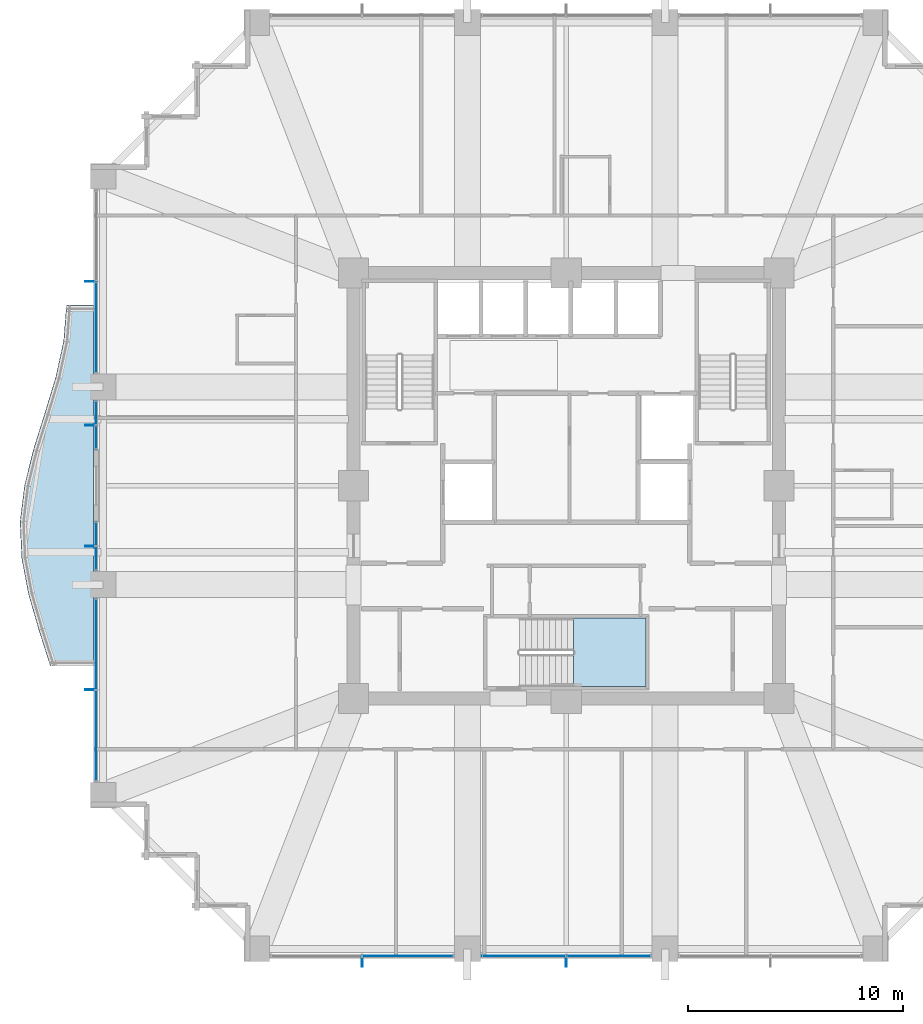
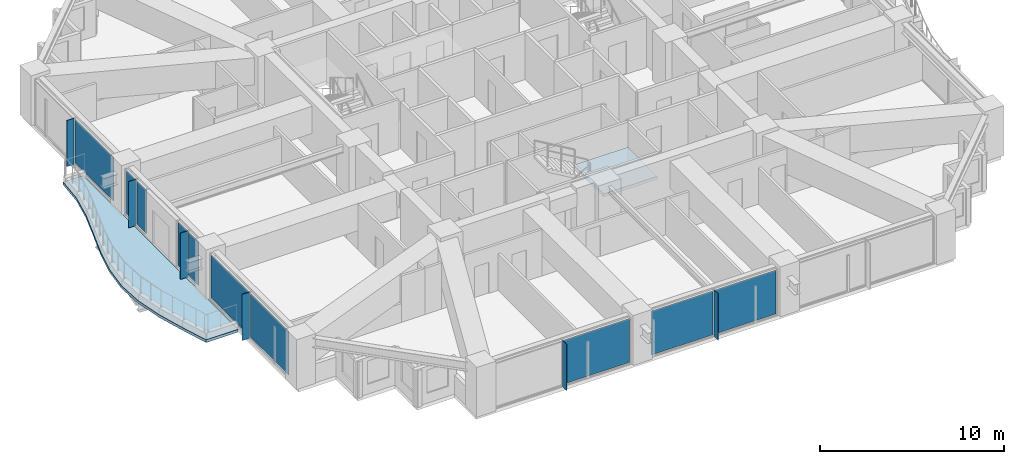
# One storey, part 29 of 39: 16 plates, 2 slabs, 7 elements without a shape of their own.
"""IFC4 building model written with IfcOpenShell, lengths in metres."""

from ifc_helpers import new_model, si_unit, direction, frame, origin, origin_2d, place, context, subcontext, project, spatial, polyline, rectangle, outline, extrude, material, layer, layer_set, type_object, element, aggregate, save


model = new_model("IFC4")

# Units and contexts
model_context = context("Model", 3, precision=1e-05, world=origin(), true_north=direction((0.0, 1.0)))
body_context = subcontext(model_context, "Body", "Model", "MODEL_VIEW")
ifc_project = project(units=[si_unit("LENGTHUNIT", "METRE"), si_unit("AREAUNIT", "SQUARE_METRE"), si_unit("VOLUMEUNIT", "CUBIC_METRE"), si_unit("PLANEANGLEUNIT", "RADIAN"), si_unit("MASSUNIT", "GRAM", prefix="KILO")], contexts=[model_context])

# Site, building, storey
site_placement = place(None, origin())
site = spatial("IfcSite", under=ifc_project, at=site_placement, CompositionType="ELEMENT")
building_placement = place(site_placement, origin())
building = spatial("IfcBuilding", under=site, at=building_placement, Name="Kolvaren Belvedere", CompositionType="ELEMENT")
storey_placement = place(building_placement, frame((0.0, 0.0, 40.300048828125)))
storey = spatial("IfcBuildingStorey", under=building, at=storey_placement, Name="L11", CompositionType="ELEMENT", Elevation=40.300048828125)

# Curtain wall, plates
ifc_material_1 = material(Name="Anodised pale-metal aluminium AA 6063-T6", Category="aluminium")
curtain_wall_type = type_object("IfcCurtainWallType", Name="CW-Z1-LOW", PredefinedType="NOTDEFINED", material=ifc_material_1)
curtain_wall_1_placement = place(storey_placement, origin())
curtain_wall_1 = element("IfcCurtainWall", 1, at=curtain_wall_1_placement, inside=storey, type_object=curtain_wall_type, Name="L11 Unitised Curtain Wall FCW-L11-S-B2", PredefinedType="NOTDEFINED")
ifc_material_2 = material(Name="Low-iron triple insulated glass", Category="glass")
ifc_layer_1 = layer(ifc_material_2, 0.028076171875)
ifc_layer_set_1 = layer_set([ifc_layer_1], Name="Low-iron triple insulated glass")
plate_type_1 = type_object("IfcPlateType", Name="CW-PNL-VIS28", PredefinedType="CURTAIN_PANEL", material=ifc_layer_set_1)
plate_1_placement = place(storey_placement, frame((1.972412109375, -21.8798828125, 0.080078125), z_axis=(0.0, 0.0, 1.0), x_axis=(-1.0, 0.0, 0.0)))
plate_1 = element("IfcPlate", 2, at=plate_1_placement, type_object=plate_type_1, Name="FCW-L11-S-B2 Vision Glazing Panel 1", PredefinedType="CURTAIN_PANEL", context=body_context, shape_type="SweptSolid", body=[
    extrude(rectangle(XDim=3.864990234375, YDim=0.028076171875, at=origin_2d()), origin(), (0.0, 0.0, 1.0), 2.89990234375),
])
plate_2_placement = place(storey_placement, frame((-1.972412109375, -21.8798828125, 0.080078125), z_axis=(0.0, 0.0, 1.0), x_axis=(-1.0, 0.0, 0.0)))
plate_2 = element("IfcPlate", 3, at=plate_2_placement, type_object=plate_type_1, Name="FCW-L11-S-B2 Vision Glazing Panel 2", PredefinedType="CURTAIN_PANEL", context=body_context, shape_type="SweptSolid", body=[
    extrude(rectangle(XDim=3.864990234375, YDim=0.028076171875, at=origin_2d()), origin(), (0.0, 0.0, 1.0), 2.89990234375),
])
aggregate(curtain_wall_1, [plate_1, plate_2])

# Curtain wall, plate
curtain_wall_2_placement = place(storey_placement, origin())
curtain_wall_2 = element("IfcCurtainWall", 4, at=curtain_wall_2_placement, inside=storey, type_object=curtain_wall_type, Name="L11 Unitised Curtain Wall FCW-L11-S-B3", PredefinedType="NOTDEFINED")
plate_3_placement = place(storey_placement, frame((-7.37744140625, -21.8798828125, 0.080078125), z_axis=(0.0, 0.0, 1.0), x_axis=(-1.0, 0.0, 0.0)))
plate_3 = element("IfcPlate", 5, at=plate_3_placement, type_object=plate_type_1, Name="FCW-L11-S-B3 Vision Glazing Panel 1", PredefinedType="CURTAIN_PANEL", context=body_context, shape_type="SweptSolid", body=[
    extrude(rectangle(XDim=4.1650390625, YDim=0.028076171875, at=origin_2d()), origin(), (0.0, 0.0, 1.0), 2.89990234375),
])
aggregate(curtain_wall_2, [plate_3])

# Curtain wall, plates
curtain_wall_3_placement = place(storey_placement, origin())
curtain_wall_3 = element("IfcCurtainWall", 6, at=curtain_wall_3_placement, inside=storey, type_object=curtain_wall_type, Name="L11 Unitised Curtain Wall FCW-L11-W1-B1", PredefinedType="NOTDEFINED")
plate_4_placement = place(storey_placement, frame((-21.8798828125, -11.62255859375, 0.080078125), z_axis=(0.0, 0.0, 1.0), x_axis=(0.0, 1.0, 0.0)))
plate_4 = element("IfcPlate", 7, at=plate_4_placement, type_object=plate_type_1, Name="FCW-L11-W1-B1 Vision Glazing Panel 1", PredefinedType="CURTAIN_PANEL", context=body_context, shape_type="SweptSolid", body=[
    extrude(rectangle(XDim=4.1650390625, YDim=0.028076171875, at=origin_2d()), origin(), (0.0, 0.0, 1.0), 2.89990234375),
])
plate_5_placement = place(storey_placement, frame((-21.8798828125, -7.37744140625, 0.080078125), z_axis=(0.0, 0.0, 1.0), x_axis=(0.0, 1.0, 0.0)))
plate_5 = element("IfcPlate", 8, at=plate_5_placement, type_object=plate_type_1, Name="FCW-L11-W1-B1 Vision Glazing Panel 2", PredefinedType="CURTAIN_PANEL", context=body_context, shape_type="SweptSolid", body=[
    extrude(rectangle(XDim=4.1650390625, YDim=0.028076171875, at=origin_2d()), origin(), (0.0, 0.0, 1.0), 2.89990234375),
])
aggregate(curtain_wall_3, [plate_4, plate_5])

curtain_wall_4_placement = place(storey_placement, origin())
curtain_wall_4 = element("IfcCurtainWall", 9, at=curtain_wall_4_placement, inside=storey, type_object=curtain_wall_type, Name="L11 Unitised Curtain Wall FCW-L11-W1-B2", PredefinedType="NOTDEFINED")
plate_6_placement = place(storey_placement, frame((-21.8798828125, -3.37890625, 0.080078125), z_axis=(0.0, 0.0, 1.0), x_axis=(0.0, 1.0, 0.0)))
plate_6 = element("IfcPlate", 10, at=plate_6_placement, type_object=plate_type_1, Name="FCW-L11-W1-B2 Vision Glazing Panel 1", PredefinedType="CURTAIN_PANEL", context=body_context, shape_type="SweptSolid", body=[
    extrude(rectangle(XDim=1.052490234375, YDim=0.028076171875, at=origin_2d()), origin(), (0.0, 0.0, 1.0), 2.89990234375),
])
plate_7_placement = place(storey_placement, frame((-21.8798828125, -2.24609375, 0.080078125), z_axis=(0.0, 0.0, 1.0), x_axis=(0.0, 1.0, 0.0)))
plate_7 = element("IfcPlate", 11, at=plate_7_placement, type_object=plate_type_1, Name="FCW-L11-W1-B2 Vision Glazing Panel 2", PredefinedType="CURTAIN_PANEL", context=body_context, shape_type="SweptSolid", body=[
    extrude(rectangle(XDim=1.052490234375, YDim=0.028076171875, at=origin_2d()), origin(), (0.0, 0.0, 1.0), 2.89990234375),
])
aggregate(curtain_wall_4, [plate_6, plate_7])

curtain_wall_5_placement = place(storey_placement, origin())
curtain_wall_5 = element("IfcCurtainWall", 12, at=curtain_wall_5_placement, inside=storey, type_object=curtain_wall_type, Name="L11 Unitised Curtain Wall FCW-L11-W2-B1", PredefinedType="NOTDEFINED")
plate_8_placement = place(storey_placement, frame((-21.8798828125, 2.24609375, 0.080078125), z_axis=(0.0, 0.0, 1.0), x_axis=(0.0, 1.0, 0.0)))
plate_8 = element("IfcPlate", 13, at=plate_8_placement, type_object=plate_type_1, Name="FCW-L11-W2-B1 Vision Glazing Panel 1", PredefinedType="CURTAIN_PANEL", context=body_context, shape_type="SweptSolid", body=[
    extrude(rectangle(XDim=1.052490234375, YDim=0.028076171875, at=origin_2d()), origin(), (0.0, 0.0, 1.0), 2.89990234375),
])
plate_9_placement = place(storey_placement, frame((-21.8798828125, 3.378662109375, 0.080078125), z_axis=(0.0, 0.0, 1.0), x_axis=(0.0, 1.0, 0.0)))
plate_9 = element("IfcPlate", 14, at=plate_9_placement, type_object=plate_type_1, Name="FCW-L11-W2-B1 Vision Glazing Panel 2", PredefinedType="CURTAIN_PANEL", context=body_context, shape_type="SweptSolid", body=[
    extrude(rectangle(XDim=1.052490234375, YDim=0.028076171875, at=origin_2d()), origin(), (0.0, 0.0, 1.0), 2.89990234375),
])
aggregate(curtain_wall_5, [plate_8, plate_9])

# Curtain wall, plate
curtain_wall_6_placement = place(storey_placement, origin())
curtain_wall_6 = element("IfcCurtainWall", 15, at=curtain_wall_6_placement, inside=storey, type_object=curtain_wall_type, Name="L11 Unitised Curtain Wall FCW-L11-W2-B2", PredefinedType="NOTDEFINED")
plate_10_placement = place(storey_placement, frame((-21.8798828125, 7.37744140625, 0.080078125), z_axis=(0.0, 0.0, 1.0), x_axis=(0.0, 1.0, 0.0)))
plate_10 = element("IfcPlate", 16, at=plate_10_placement, type_object=plate_type_1, Name="FCW-L11-W2-B2 Vision Glazing Panel 1", PredefinedType="CURTAIN_PANEL", context=body_context, shape_type="SweptSolid", body=[
    extrude(rectangle(XDim=4.1650390625, YDim=0.028076171875, at=origin_2d()), origin(), (0.0, 0.0, 1.0), 2.89990234375),
])
aggregate(curtain_wall_6, [plate_10])

# Plates
ifc_material_3 = material(Name="Anodised pale-metal aluminium AA 6063-T6", Category="aluminium")
ifc_layer_2 = layer(ifc_material_3, 0.0380859375)
ifc_layer_set_2 = layer_set([ifc_layer_2], Name="Anodised pale-metal aluminium AA 6063-T6")
plate_type_2 = type_object("IfcPlateType", Name="FIN-VERT-450", PredefinedType="USERDEFINED", material=ifc_layer_set_2)
for number, where, z_axis, x_axis, name in (
    (17, (0.0, -22.1650390625, 0.0), (0.0, 0.0, 1.0), (0.0, 1.0, 0.0), "L11 Pale-Metal Vertical Shading Fin FCW-L11-S-B2-1"),
    (18, (-9.5, -22.1650390625, 0.0), (0.0, 0.0, 1.0), (0.0, 1.0, 0.0), "L11 Pale-Metal Vertical Shading Fin FCW-L11-S-B3-1"),
    (19, (-22.1650390625, -9.5, 0.0), (0.0, 0.0, 1.0), (1.0, 0.0, 0.0), "L11 Pale-Metal Vertical Shading Fin FCW-L11-W1-B1-1"),
    (20, (-22.1650390625, -2.8125, 0.0), (0.0, 0.0, 1.0), (1.0, 0.0, 0.0), "L11 Pale-Metal Vertical Shading Fin FCW-L11-W1-B2-1"),
    (21, (-22.1650390625, 2.8125, 0.0), (0.0, 0.0, 1.0), (1.0, 0.0, 0.0), "L11 Pale-Metal Vertical Shading Fin FCW-L11-W2-B1-1"),
    (22, (-22.1650390625, 9.5, 0.0), (0.0, 0.0, 1.0), (1.0, 0.0, 0.0), "L11 Pale-Metal Vertical Shading Fin FCW-L11-W2-B2-1"),
):
    element("IfcPlate", number, at=place(storey_placement, frame(where, z_axis=z_axis, x_axis=x_axis)), inside=storey, type_object=plate_type_2, Name=name, ObjectType="VERTICAL FIN", PredefinedType="USERDEFINED", context=body_context, shape_type="SweptSolid", body=[
        extrude(rectangle(XDim=0.449951171875, YDim=0.0380859375, at=origin_2d()), origin(), (0.0, 0.0, 1.0), 3.06005859375),
    ])

# Slab
ifc_material_4 = material(Name="Concrete C50/60", Category="concrete")
ifc_layer_3 = layer(ifc_material_4, 0.179931640625)
ifc_layer_set_3 = layer_set([ifc_layer_3], Name="Concrete C50/60")
slab_type_1 = type_object("IfcSlabType", Name="SL-BAL-180", PredefinedType="FLOOR", material=ifc_layer_set_3)
slab_1_placement = place(storey_placement, frame((0.0, 0.0, -0.239990234375)))
element("IfcSlab", 23, at=slab_1_placement, inside=storey, type_object=slab_type_1, Name="L11 Planted Balcony BAL-W", PredefinedType="FLOOR", context=body_context, shape_type="SweptSolid", body=[
    extrude(outline(polyline([(-23.260009765625, 8.39990234375), (-23.3935546875, 6.719970703125), (-23.76123046875, 5.0400390625), (-24.272216796875, 3.360107421875), (-24.7998046875, 1.679931640625), (-25.213623046875, 0.0), (-25.419921875, -1.679931640625), (-25.34423828125, -3.360107421875), (-25.0283203125, -5.0400390625), (-24.54248046875, -6.719970703125), (-24.00634765625, -8.39990234375), (-22.0, -8.39990234375), (-22.0, -6.719970703125), (-22.0, -5.0400390625), (-22.0, -3.360107421875), (-22.0, -1.679931640625), (-22.0, 0.0), (-22.0, 1.679931640625), (-22.0, 3.360107421875), (-22.0, 5.0400390625), (-22.0, 6.719970703125), (-22.0, 8.39990234375), (-23.260009765625, 8.39990234375)])), origin(), (0.0, 0.0, 1.0), 0.179931640625),
])

# Stair, slab
ifc_material_5 = material(Name="Concrete C50/60", Category="concrete")
stair_type = type_object("IfcStairType", Name="ST-CORE-1520", PredefinedType="HALF_TURN_STAIR", material=ifc_material_5)
stair_placement = place(storey_placement, origin())
stair = element("IfcStair", 24, at=stair_placement, inside=storey, type_object=stair_type, Name="L11 Protected Exit Stair ST-3", PredefinedType="HALF_TURN_STAIR")
ifc_material_6 = material(Name="Concrete C50/60", Category="concrete")
ifc_layer_4 = layer(ifc_material_6, 0.260009765625)
ifc_layer_set_4 = layer_set([ifc_layer_4], Name="Concrete C50/60")
slab_type_2 = type_object("IfcSlabType", Name="SL-LAND-260", PredefinedType="LANDING", material=ifc_layer_set_4)
slab_2_placement = place(storey_placement, frame((0.0, 0.0, 1.449951171875)))
slab_2 = element("IfcSlab", 25, at=slab_2_placement, type_object=slab_type_2, Name="ST-3 landing 1", PredefinedType="LANDING", context=body_context, shape_type="SweptSolid", body=[
    extrude(outline(polyline([(0.340087890625, -9.35009765625), (3.699951171875, -9.35009765625), (3.699951171875, -6.159912109375), (0.340087890625, -6.159912109375), (0.340087890625, -9.35009765625)])), origin(), (0.0, 0.0, 1.0), 0.199951171875),
])
aggregate(stair, [slab_2])

save(model, "model.ifc")
